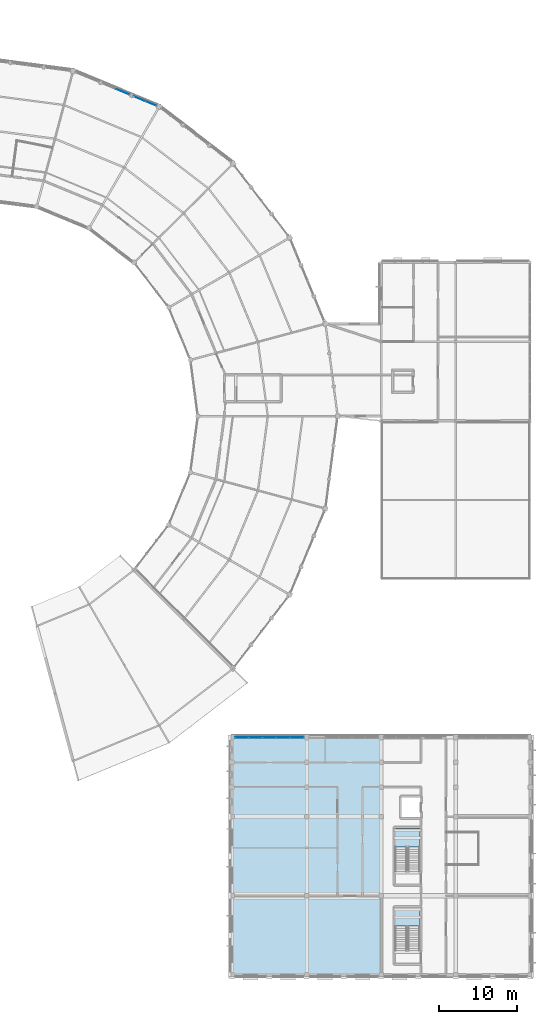
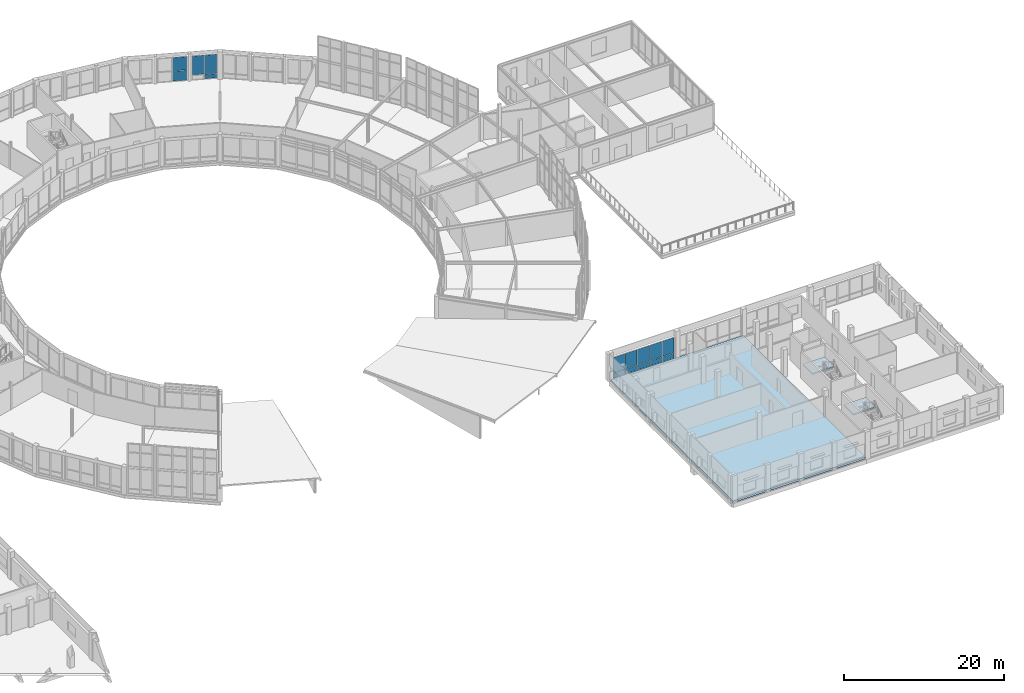
# One storey, part 143 of 185: 15 plates, 3 slabs, 5 elements without a shape of their own.
"""IFC4 building model written with IfcOpenShell, lengths in metres."""

from ifc_helpers import new_model, si_unit, direction, frame, origin, origin_2d, place, context, subcontext, project, spatial, polyline, rectangle, outline, extrude, material, layer, layer_set, type_object, element, aggregate, save


model = new_model("IFC4")

# Units and contexts
model_context = context("Model", 3, precision=1e-05, world=origin(), true_north=direction((0.0, 1.0)))
body_context = subcontext(model_context, "Body", "Model", "MODEL_VIEW")
ifc_project = project(units=[si_unit("LENGTHUNIT", "METRE"), si_unit("AREAUNIT", "SQUARE_METRE"), si_unit("VOLUMEUNIT", "CUBIC_METRE"), si_unit("PLANEANGLEUNIT", "RADIAN"), si_unit("MASSUNIT", "GRAM", prefix="KILO")], contexts=[model_context])

# Site, building, storey
site_placement = place(None, origin())
site = spatial("IfcSite", under=ifc_project, at=site_placement, CompositionType="ELEMENT")
building_placement = place(site_placement, origin())
building = spatial("IfcBuilding", under=site, at=building_placement, Name="Vondelvale Polytechnic", CompositionType="ELEMENT")
storey_placement = place(building_placement, frame((0.0, 0.0, 9.60009765625)))
storey = spatial("IfcBuildingStorey", under=building, at=storey_placement, Name="L02", CompositionType="ELEMENT", Elevation=9.60009765625)

# Curtain wall, plates
ifc_material_1 = material(Name="Anodised extruded aluminium 6063-T6", Category="aluminium")
curtain_wall_type_1 = type_object("IfcCurtainWallType", Name="CW-STUDIO-NORTH", PredefinedType="NOTDEFINED", material=ifc_material_1)
curtain_wall_1_placement = place(storey_placement, origin())
curtain_wall_1 = element("IfcCurtainWall", 1, at=curtain_wall_1_placement, inside=storey, type_object=curtain_wall_type_1, Name="L02 architectural curtain wall CW-01-063", PredefinedType="NOTDEFINED")
ifc_material_2 = material(Name="Double-glazed low-E insulated architectural glass", Category="glass")
ifc_layer_1 = layer(ifc_material_2, 0.028076171875)
ifc_layer_set_1 = layer_set([ifc_layer_1], Name="CW-PANEL-GLAZED")
plate_type_1 = type_object("IfcPlateType", Name="CW-PANEL-GLAZED", PredefinedType="CURTAIN_PANEL", material=ifc_layer_set_1)
plate_1_placement = place(storey_placement, frame((135.64013671875, 30.60009765625, 0.8798828125), z_axis=(0.0, 0.0, 1.0), x_axis=(1.0, 0.0, 0.0)))
plate_1 = element("IfcPlate", 2, at=plate_1_placement, type_object=plate_type_1, Name="CW-01-063 panel 1.2", PredefinedType="CURTAIN_PANEL", context=body_context, shape_type="SweptSolid", body=[
    extrude(rectangle(XDim=1.6904296875, YDim=0.028076171875, at=origin_2d()), origin(), (0.0, 0.0, 1.0), 2.31005859375),
])
plate_2_placement = place(storey_placement, frame((137.412109375, 30.60009765625, 0.8798828125), z_axis=(0.0, 0.0, 1.0), x_axis=(1.0, 0.0, 0.0)))
plate_2 = element("IfcPlate", 3, at=plate_2_placement, type_object=plate_type_1, Name="CW-01-063 panel 2.2", PredefinedType="CURTAIN_PANEL", context=body_context, shape_type="SweptSolid", body=[
    extrude(rectangle(XDim=1.722900390625, YDim=0.028076171875, at=origin_2d()), origin(), (0.0, 0.0, 1.0), 2.31005859375),
])
plate_3_placement = place(storey_placement, frame((139.199951171875, 30.60009765625, 0.8798828125), z_axis=(0.0, 0.0, 1.0), x_axis=(1.0, 0.0, 0.0)))
plate_3 = element("IfcPlate", 4, at=plate_3_placement, type_object=plate_type_1, Name="CW-01-063 panel 3.2", PredefinedType="CURTAIN_PANEL", context=body_context, shape_type="SweptSolid", body=[
    extrude(rectangle(XDim=1.722900390625, YDim=0.028076171875, at=origin_2d()), origin(), (0.0, 0.0, 1.0), 2.31005859375),
])
plate_4_placement = place(storey_placement, frame((140.988037109375, 30.60009765625, 0.8798828125), z_axis=(0.0, 0.0, 1.0), x_axis=(1.0, 0.0, 0.0)))
plate_4 = element("IfcPlate", 5, at=plate_4_placement, type_object=plate_type_1, Name="CW-01-063 panel 4.2", PredefinedType="CURTAIN_PANEL", context=body_context, shape_type="SweptSolid", body=[
    extrude(rectangle(XDim=1.722900390625, YDim=0.028076171875, at=origin_2d()), origin(), (0.0, 0.0, 1.0), 2.31005859375),
])
plate_5_placement = place(storey_placement, frame((142.759765625, 30.60009765625, 0.8798828125), z_axis=(0.0, 0.0, 1.0), x_axis=(1.0, 0.0, 0.0)))
plate_5 = element("IfcPlate", 6, at=plate_5_placement, type_object=plate_type_1, Name="CW-01-063 panel 5.2", PredefinedType="CURTAIN_PANEL", context=body_context, shape_type="SweptSolid", body=[
    extrude(rectangle(XDim=1.6904296875, YDim=0.028076171875, at=origin_2d()), origin(), (0.0, 0.0, 1.0), 2.31005859375),
])

ifc_material_3 = material(Name="Glulam GL18 structural Tasmanian oak (fb = 42 MPa)", Category="wood")
curtain_wall_type_2 = type_object("IfcCurtainWallType", Name="CW-RING-OUTER", PredefinedType="NOTDEFINED", material=ifc_material_3)
curtain_wall_2_placement = place(storey_placement, origin())
curtain_wall_2 = element("IfcCurtainWall", 7, at=curtain_wall_2_placement, inside=storey, type_object=curtain_wall_type_2, Name="L02 architectural curtain wall CW-04-120", PredefinedType="NOTDEFINED")
plate_6_placement = place(storey_placement, frame((123.92578125, 112.2822265625, 0.780029296875), z_axis=(0.0, 0.0, 1.0), x_axis=(-0.923882033442, 0.382677394529, 0.0)))
plate_6 = element("IfcPlate", 8, at=plate_6_placement, type_object=plate_type_1, Name="CW-04-120 panel 1.2", PredefinedType="CURTAIN_PANEL", context=body_context, shape_type="SweptSolid", body=[
    extrude(rectangle(XDim=1.530029296875, YDim=0.028076171875, at=origin_2d()), origin(), (0.0, 0.0, 1.0), 2.8798828125),
])
plate_7_placement = place(storey_placement, frame((122.4521484375, 112.892578125, 0.780029296875), z_axis=(0.0, 0.0, 1.0), x_axis=(-0.923882033442, 0.382677394529, 0.0)))
plate_7 = element("IfcPlate", 9, at=plate_7_placement, type_object=plate_type_1, Name="CW-04-120 panel 2.2", PredefinedType="CURTAIN_PANEL", context=body_context, shape_type="SweptSolid", body=[
    extrude(rectangle(XDim=1.530029296875, YDim=0.028076171875, at=origin_2d()), origin(), (0.0, 0.0, 1.0), 2.8798828125),
])

curtain_wall_3_placement = place(storey_placement, origin())
curtain_wall_3 = element("IfcCurtainWall", 10, at=curtain_wall_3_placement, inside=storey, type_object=curtain_wall_type_2, Name="L02 architectural curtain wall CW-04-121", PredefinedType="NOTDEFINED")
ifc_material_4 = material(Name="Engineered Tasmanian oak studio and bridge joinery")
ifc_layer_2 = layer(ifc_material_4, 0.0419921875)
ifc_layer_set_2 = layer_set([ifc_layer_2], Name="CW-PANEL-OAK")
plate_type_2 = type_object("IfcPlateType", Name="CW-PANEL-OAK", PredefinedType="CURTAIN_PANEL", material=ifc_layer_set_2)
plate_8_placement = place(storey_placement, frame((120.318603515625, 113.7763671875, 0.06005859375), z_axis=(0.0, 0.0, 1.0), x_axis=(-0.92387490701, 0.382694599123, 0.0)))
plate_8 = element("IfcPlate", 11, at=plate_8_placement, type_object=plate_type_2, Name="CW-04-121 panel 1.1", PredefinedType="CURTAIN_PANEL", context=body_context, shape_type="SweptSolid", body=[
    extrude(rectangle(XDim=1.80908203125, YDim=0.0419921875, at=origin_2d()), origin(), (0.0, 0.0, 1.0), 1.510009765625),
])
plate_9_placement = place(storey_placement, frame((120.318603515625, 113.7763671875, 1.6298828125), z_axis=(0.0, 0.0, 1.0), x_axis=(-0.92387490701, 0.382694599123, 0.0)))
plate_9 = element("IfcPlate", 12, at=plate_9_placement, type_object=plate_type_2, Name="CW-04-121 panel 1.2", PredefinedType="CURTAIN_PANEL", context=body_context, shape_type="SweptSolid", body=[
    extrude(rectangle(XDim=1.80908203125, YDim=0.0419921875, at=origin_2d()), origin(), (0.0, 0.0, 1.0), 2.030029296875),
])
aggregate(curtain_wall_3, [plate_8, plate_9])

# Plate
ifc_material_5 = material(Name="Kiln-fired architectural terracotta", Category="masonry")
ifc_layer_3 = layer(ifc_material_5, 0.035888671875)
ifc_layer_set_3 = layer_set([ifc_layer_3], Name="CW-PANEL-SPANDREL")
plate_type_3 = type_object("IfcPlateType", Name="CW-PANEL-SPANDREL", PredefinedType="CURTAIN_PANEL", material=ifc_layer_set_3)
plate_10_placement = place(storey_placement, frame((135.64013671875, 30.60009765625, 0.06005859375), z_axis=(0.0, 0.0, 1.0), x_axis=(1.0, 0.0, 0.0)))
plate_10 = element("IfcPlate", 13, at=plate_10_placement, type_object=plate_type_3, Name="CW-01-063 panel 1.1", PredefinedType="CURTAIN_PANEL", context=body_context, shape_type="SweptSolid", body=[
    extrude(rectangle(XDim=1.6904296875, YDim=0.035888671875, at=origin_2d()), origin(), (0.0, 0.0, 1.0), 0.760009765625),
])

plate_11_placement = place(storey_placement, frame((137.412109375, 30.60009765625, 0.06005859375), z_axis=(0.0, 0.0, 1.0), x_axis=(1.0, 0.0, 0.0)))
plate_11 = element("IfcPlate", 14, at=plate_11_placement, type_object=plate_type_3, Name="CW-01-063 panel 2.1", PredefinedType="CURTAIN_PANEL", context=body_context, shape_type="SweptSolid", body=[
    extrude(rectangle(XDim=1.722900390625, YDim=0.035888671875, at=origin_2d()), origin(), (0.0, 0.0, 1.0), 0.760009765625),
])

plate_12_placement = place(storey_placement, frame((139.199951171875, 30.60009765625, 0.06005859375), z_axis=(0.0, 0.0, 1.0), x_axis=(1.0, 0.0, 0.0)))
plate_12 = element("IfcPlate", 15, at=plate_12_placement, type_object=plate_type_3, Name="CW-01-063 panel 3.1", PredefinedType="CURTAIN_PANEL", context=body_context, shape_type="SweptSolid", body=[
    extrude(rectangle(XDim=1.722900390625, YDim=0.035888671875, at=origin_2d()), origin(), (0.0, 0.0, 1.0), 0.760009765625),
])

plate_13_placement = place(storey_placement, frame((140.988037109375, 30.60009765625, 0.06005859375), z_axis=(0.0, 0.0, 1.0), x_axis=(1.0, 0.0, 0.0)))
plate_13 = element("IfcPlate", 16, at=plate_13_placement, type_object=plate_type_3, Name="CW-01-063 panel 4.1", PredefinedType="CURTAIN_PANEL", context=body_context, shape_type="SweptSolid", body=[
    extrude(rectangle(XDim=1.722900390625, YDim=0.035888671875, at=origin_2d()), origin(), (0.0, 0.0, 1.0), 0.760009765625),
])

plate_14_placement = place(storey_placement, frame((142.759765625, 30.60009765625, 0.06005859375), z_axis=(0.0, 0.0, 1.0), x_axis=(1.0, 0.0, 0.0)))
plate_14 = element("IfcPlate", 17, at=plate_14_placement, type_object=plate_type_3, Name="CW-01-063 panel 5.1", PredefinedType="CURTAIN_PANEL", context=body_context, shape_type="SweptSolid", body=[
    extrude(rectangle(XDim=1.6904296875, YDim=0.035888671875, at=origin_2d()), origin(), (0.0, 0.0, 1.0), 0.760009765625),
])

aggregate(curtain_wall_1, [plate_10, plate_1, plate_11, plate_2, plate_12, plate_3, plate_13, plate_4, plate_14, plate_5])

plate_15_placement = place(storey_placement, frame((123.92578125, 112.2822265625, 0.06005859375), z_axis=(0.0, 0.0, 1.0), x_axis=(-0.923882033442, 0.382677394529, 0.0)))
plate_15 = element("IfcPlate", 18, at=plate_15_placement, type_object=plate_type_3, Name="CW-04-120 panel 1.1", PredefinedType="CURTAIN_PANEL", context=body_context, shape_type="SweptSolid", body=[
    extrude(rectangle(XDim=1.530029296875, YDim=0.035888671875, at=origin_2d()), origin(), (0.0, 0.0, 1.0), 0.659912109375),
])

aggregate(curtain_wall_2, [plate_15, plate_6, plate_7])

# Stair, slab
ifc_material_6 = material(Name="Concrete N40 (f'c = 40 MPa)", Category="concrete")
stair_type = type_object("IfcStairType", Name="STR-DOG-1500", PredefinedType="HALF_TURN_STAIR", material=ifc_material_6)
stair_1_placement = place(storey_placement, origin())
stair_1 = element("IfcStair", 19, at=stair_1_placement, inside=storey, type_object=stair_type, Name="L02 ST-06", PredefinedType="HALF_TURN_STAIR")
ifc_layer_4 = layer(ifc_material_6, 0.199951171875)
ifc_layer_set_4 = layer_set([ifc_layer_4], Name="SLB-LANDING-200")
slab_type_1 = type_object("IfcSlabType", Name="SLB-LANDING-200", PredefinedType="LANDING", material=ifc_layer_set_4)
slab_1_placement = place(storey_placement, frame((0.0, 0.0, 1.89990234375)))
slab_1 = element("IfcSlab", 20, at=slab_1_placement, type_object=slab_type_1, Name="ST-06 landing 1", PredefinedType="LANDING", context=body_context, shape_type="SweptSolid", body=[
    extrude(outline(polyline([(158.60009765625, 6.284912109375), (158.60009765625, 8.699951171875), (155.39990234375, 8.699951171875), (155.39990234375, 6.284912109375), (158.60009765625, 6.284912109375)])), origin(), (0.0, 0.0, 1.0), 0.199951171875),
])
aggregate(stair_1, [slab_1])

stair_2_placement = place(storey_placement, origin())
stair_2 = element("IfcStair", 21, at=stair_2_placement, inside=storey, type_object=stair_type, Name="L02 ST-07", PredefinedType="HALF_TURN_STAIR")
slab_2_placement = place(storey_placement, frame((0.0, 0.0, 1.89990234375)))
slab_2 = element("IfcSlab", 22, at=slab_2_placement, type_object=slab_type_1, Name="ST-07 landing 1", PredefinedType="LANDING", context=body_context, shape_type="SweptSolid", body=[
    extrude(outline(polyline([(158.60009765625, 16.485107421875), (158.60009765625, 18.89990234375), (155.39990234375, 18.89990234375), (155.39990234375, 16.485107421875), (158.60009765625, 16.485107421875)])), origin(), (0.0, 0.0, 1.0), 0.199951171875),
])
aggregate(stair_2, [slab_2])

# Slab
ifc_layer_5 = layer(ifc_material_6, 0.280029296875)
ifc_layer_set_5 = layer_set([ifc_layer_5], Name="SLB-LIBRARY-280")
slab_type_2 = type_object("IfcSlabType", Name="SLB-LIBRARY-280", PredefinedType="FLOOR", material=ifc_layer_set_5)
slab_3_placement = place(storey_placement, frame((0.0, 0.0, -0.280029296875)))
element("IfcSlab", 23, at=slab_3_placement, inside=storey, type_object=slab_type_2, Name="L02 lecture wing slab W", PredefinedType="FLOOR", context=body_context, shape_type="SweptSolid", body=[
    extrude(outline(polyline([(134.39990234375, 0.0), (153.60009765625, 0.0), (153.60009765625, 30.60009765625), (134.39990234375, 30.60009765625), (134.39990234375, 0.0)])), origin(), (0.0, 0.0, 1.0), 0.280029296875),
])

save(model, "model.ifc")
